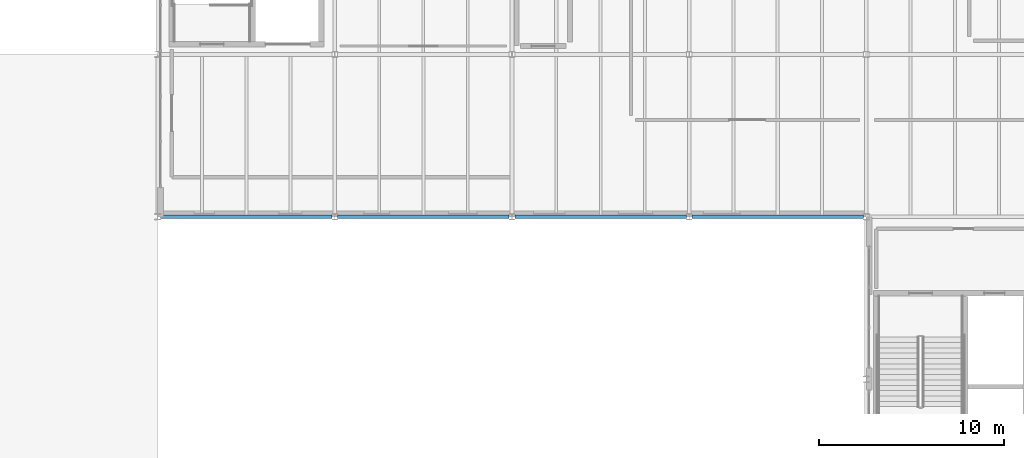
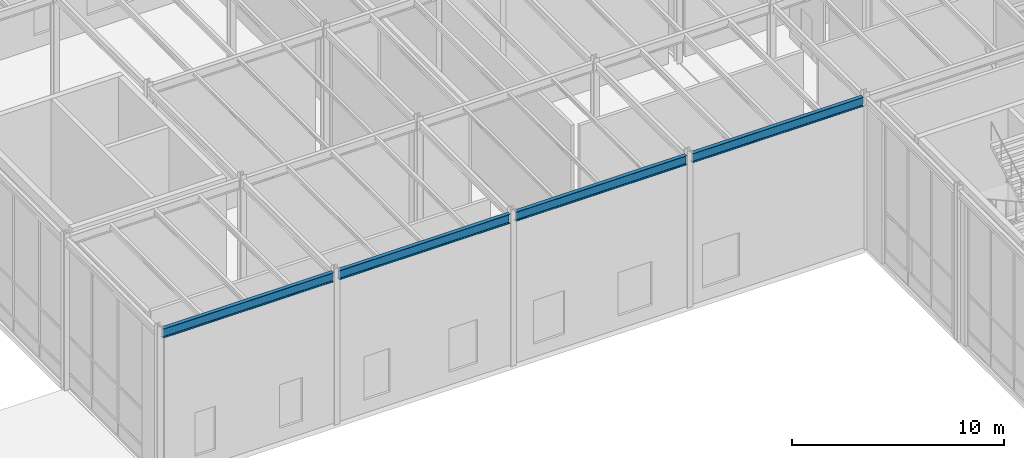
# One storey, part 10 of 48: 4 beams.
"""IFC4 building model written with IfcOpenShell, lengths in metres."""

from ifc_helpers import new_model, si_unit, direction, frame, origin, origin_2d, place, context, subcontext, project, spatial, i_section, extrude, material, material_profile, profile_set, type_object, element, save


model = new_model("IFC4")

# Units and contexts
model_context = context("Model", 3, precision=1e-05, world=origin(), true_north=direction((0.0, 1.0)))
body_context = subcontext(model_context, "Body", "Model", "MODEL_VIEW")
ifc_project = project(units=[si_unit("LENGTHUNIT", "METRE"), si_unit("AREAUNIT", "SQUARE_METRE"), si_unit("VOLUMEUNIT", "CUBIC_METRE"), si_unit("PLANEANGLEUNIT", "RADIAN"), si_unit("MASSUNIT", "GRAM", prefix="KILO")], contexts=[model_context])

# Site, building, storey
site_placement = place(None, origin())
site = spatial("IfcSite", under=ifc_project, at=site_placement, CompositionType="ELEMENT")
building_placement = place(site_placement, origin())
building = spatial("IfcBuilding", under=site, at=building_placement, Name="Sarnbrook Museum", CompositionType="ELEMENT")
storey_placement = place(building_placement, frame((0.0, 0.0, 19.10009765625)))
storey = spatial("IfcBuildingStorey", under=building, at=storey_placement, Name="L04", CompositionType="ELEMENT", Elevation=19.10009765625)

# Beams
ifc_material = material(Name="Structural Steel Grade 300PLUS (AS/NZS 3679.1, fy = 280 MPa for 17 < t <= 40 mm, 300 MPa for t <= 17 mm)", Category="steel")
ifc_material_profile = material_profile(ifc_material, i_section(OverallWidth=0.208984375, OverallDepth=0.532958984375, WebThickness=0.01025390625, FlangeThickness=0.015625, FilletRadius=0.013916015625, at=origin_2d()), Name="530UB92.4")
ifc_profile_set = profile_set([ifc_material_profile], Name="Structural Steel Grade 300PLUS (AS/NZS 3679.1, fy = 280 MPa for 17 < t <= 40 mm, 300 MPa for t <= 17 mm)")
beam_type = type_object("IfcBeamType", Name="BM-UB530", PredefinedType="BEAM", material=ifc_profile_set)
for number, where, z_axis, x_axis, name in (
    (1, (42.553466796875, 74.39990234375, 8.4833984375), (1.0, 0.0, 0.0), (0.0, 1.0, 0.0), "Girder J:5-6 L04"),
    (2, (52.153564453125, 74.39990234375, 8.4833984375), (1.0, 0.0, 0.0), (0.0, 1.0, 0.0), "Girder J:6-7 L04"),
    (3, (61.75341796875, 74.39990234375, 8.4833984375), (1.0, 0.0, 0.0), (0.0, 1.0, 0.0), "Girder J:7-8 L04"),
    (4, (71.353515625, 74.39990234375, 8.4833984375), (1.0, 0.0, 0.0), (0.0, 1.0, 0.0), "Girder J:8-9 L04"),
):
    element("IfcBeam", number, at=place(storey_placement, frame(where, z_axis=z_axis, x_axis=x_axis)), inside=storey, type_object=beam_type, Name=name, PredefinedType="BEAM", context=body_context, shape_type="SweptSolid", body=[
        extrude(i_section(OverallWidth=0.208984375, OverallDepth=0.532958984375, WebThickness=0.01025390625, FlangeThickness=0.015625, FilletRadius=0.013916015625, at=origin_2d()), origin(), (0.0, 0.0, 1.0), 9.29296875),
    ])

save(model, "model.ifc")
